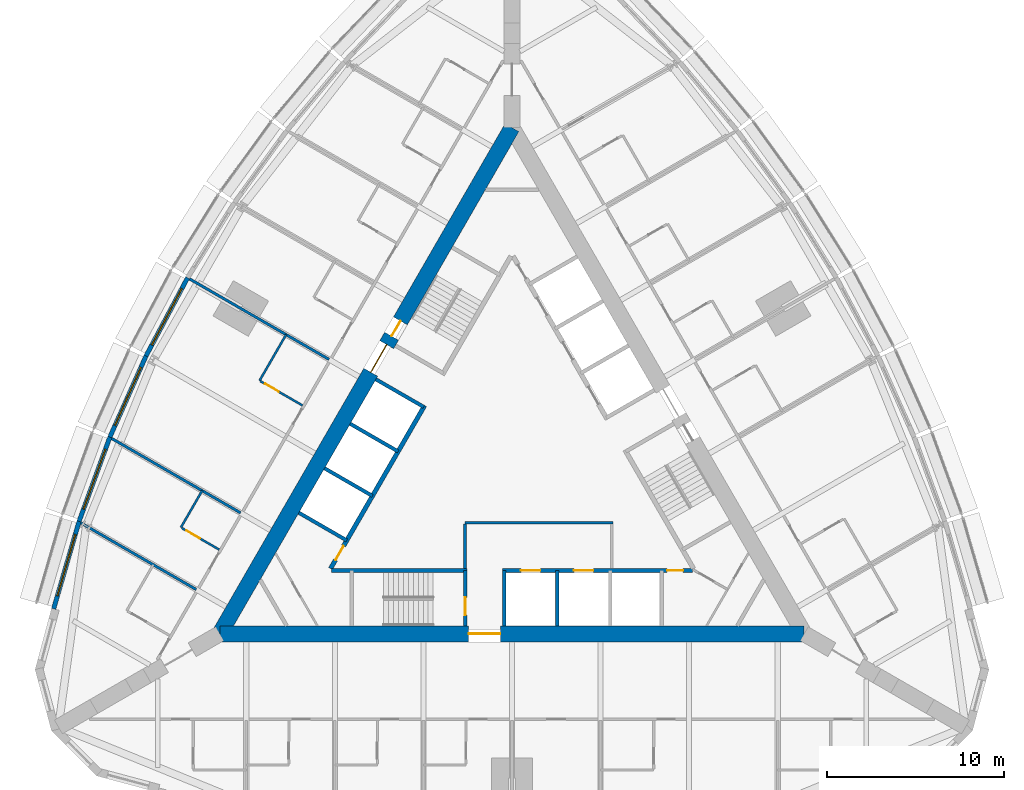
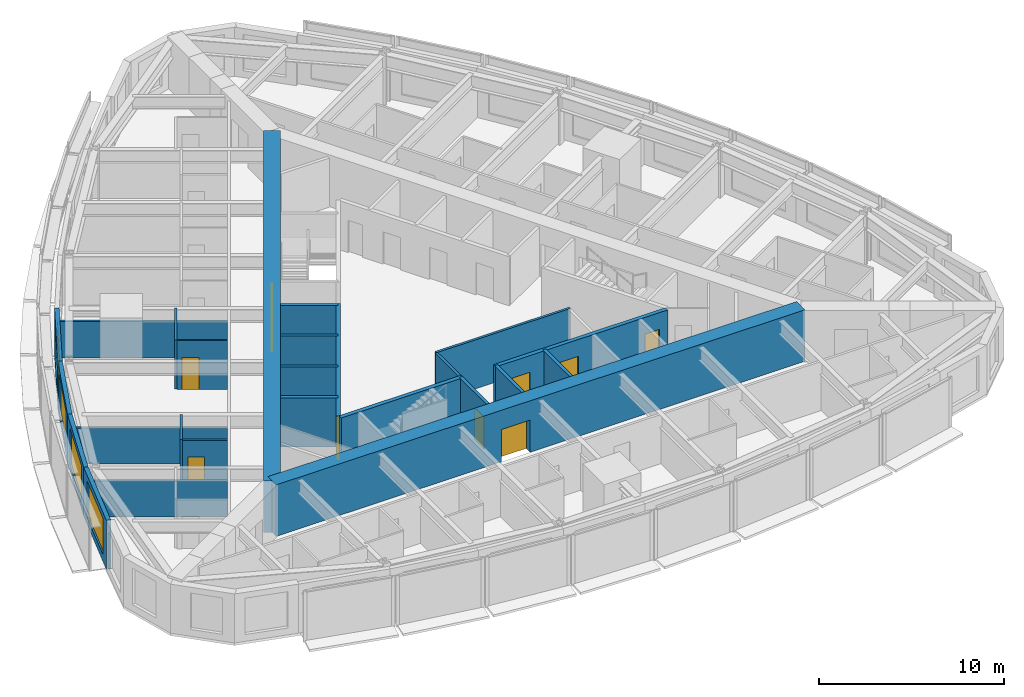
# One storey, part 9 of 14: 25 walls, 10 doors, 4 windows, 14 openings.
"""IFC4 building model written with IfcOpenShell, lengths in metres."""

from ifc_helpers import new_model, si_unit, direction, frame, frame_2d, origin, place, context, subcontext, project, spatial, rectangle, extrude, material, layer, layer_set, type_object, element, fill, save


model = new_model("IFC4")

# Units and contexts
model_context = context("Model", 3, precision=1e-05, world=origin(), true_north=direction((0.0, 1.0)))
body_context = subcontext(model_context, "Body", "Model", "MODEL_VIEW")
ifc_project = project(units=[si_unit("LENGTHUNIT", "METRE"), si_unit("AREAUNIT", "SQUARE_METRE"), si_unit("VOLUMEUNIT", "CUBIC_METRE"), si_unit("PLANEANGLEUNIT", "RADIAN"), si_unit("MASSUNIT", "GRAM", prefix="KILO")], contexts=[model_context])

# Site, building, storey
site_placement = place(None, origin())
site = spatial("IfcSite", under=ifc_project, at=site_placement, CompositionType="ELEMENT")
building_placement = place(site_placement, origin())
building = spatial("IfcBuilding", under=site, at=building_placement, Name="Trikona Tower", CompositionType="ELEMENT")
storey_placement = place(building_placement, frame((0.0, 0.0, 114.699951171875)))
storey = spatial("IfcBuildingStorey", under=building, at=storey_placement, Name="L29", CompositionType="ELEMENT", Elevation=114.699951171875)

# Wall
ifc_material_1 = material(Name="Metal stud and cement board", Category="gypsum")
ifc_layer_1 = layer(ifc_material_1, 0.1201171875)
ifc_layer_set_1 = layer_set([ifc_layer_1], Name="Bathroom wall 120")
wall_type_1 = type_object("IfcWallType", Name="Bathroom wall 120", PredefinedType="PLUMBINGWALL", material=ifc_layer_set_1)
wall_1_placement = place(storey_placement, frame((-12.75341796875, 7.363037109375, 0.0), z_axis=(0.0, 0.0, 1.0), x_axis=(-0.50002537861, -0.866010750942, 0.0)))
element("IfcWall", 1, at=wall_1_placement, inside=storey, type_object=wall_type_1, Name="Bathroom wall 2917", PredefinedType="PLUMBINGWALL", context=body_context, shape_type="SweptSolid", body=[
    extrude(rectangle(XDim=2.999755859375, YDim=0.1201171875, at=frame_2d((1.5, 0.0))), origin(), (0.0, 0.0, 1.0), 3.235107421875),
])

# Wall, opening, door
wall_2_placement = place(storey_placement, frame((-11.82861328125, 3.364990234375, 0.0), z_axis=(0.0, 0.0, 1.0), x_axis=(-0.865997131366, 0.500048966069, 0.0)))
wall_2 = element("IfcWall", 2, at=wall_2_placement, inside=storey, type_object=wall_type_1, Name="Bathroom wall 2917", PredefinedType="PLUMBINGWALL", context=body_context, shape_type="SweptSolid", body=[
    extrude(rectangle(XDim=2.739990234375, YDim=0.1201171875, at=frame_2d((1.3701171875, 0.0))), origin(), (0.0, 0.0, 1.0), 3.235107421875),
])
opening_1_placement = place(wall_2_placement, frame((1.550048828125, 0.0, 0.0)))
opening_1 = element("IfcOpeningElement", 3, at=opening_1_placement, cuts=wall_2, Name="Opening D2", PredefinedType="OPENING", context=body_context, shape_type="SweptSolid", body=[
    extrude(rectangle(XDim=0.89990234375, YDim=2.1298828125, at=frame_2d((0.449951171875, 1.06494140625))), frame((0.0, 0.070068359375, 0.0), z_axis=(0.0, -1.0, 0.0), x_axis=(1.0, 0.0, 0.0)), (0.0, 0.0, 1.0), 0.14013671875),
])
ifc_material_2 = material(Name="Steel door frame with solid-core timber leaf", Category="steel")
door_type_1 = type_object("IfcDoorType", Name="Bathroom door 900x2130", OperationType="SLIDING_TO_LEFT", PredefinedType="DOOR", material=ifc_material_2)
door_1_placement = place(opening_1_placement, origin())
door_1 = element("IfcDoor", 4, at=door_1_placement, inside=storey, type_object=door_type_1, Name="Bathroom door 2917", OperationType="SLIDING_TO_LEFT", OverallHeight=2.1298828125, OverallWidth=0.89990234375, PredefinedType="DOOR", context=body_context, shape_type="SweptSolid", body=[
    extrude(rectangle(XDim=0.89990234375, YDim=2.1298828125, at=frame_2d((0.449951171875, 1.06494140625))), frame((0.0, 0.02490234375, 0.0), z_axis=(0.0, -1.0, 0.0), x_axis=(1.0, 0.0, 0.0)), (0.0, 0.0, 1.0), 0.050048828125),
])
fill(opening_1, door_1)

# Wall
wall_3_placement = place(storey_placement, frame((-17.493408203125, -1.447021484375, 0.0), z_axis=(0.0, 0.0, 1.0), x_axis=(-0.500033551112, -0.866006032174, 0.0)))
element("IfcWall", 5, at=wall_3_placement, inside=storey, type_object=wall_type_1, Name="Bathroom wall 2918", PredefinedType="PLUMBINGWALL", context=body_context, shape_type="SweptSolid", body=[
    extrude(rectangle(XDim=2.400146484375, YDim=0.1201171875, at=frame_2d((1.2001953125, 0.0))), origin(), (0.0, 0.0, 1.0), 3.235107421875),
])

# Wall, opening, door
wall_4_placement = place(storey_placement, frame((-16.528564453125, -4.775634765625, 0.0), z_axis=(0.0, 0.0, 1.0), x_axis=(-0.866023955769, 0.500002508028, 0.0)))
wall_4 = element("IfcWall", 6, at=wall_4_placement, inside=storey, type_object=wall_type_1, Name="Bathroom wall 2918", PredefinedType="PLUMBINGWALL", context=body_context, shape_type="SweptSolid", body=[
    extrude(rectangle(XDim=2.43994140625, YDim=0.1201171875, at=frame_2d((1.219970703125, 0.0))), origin(), (0.0, 0.0, 1.0), 3.235107421875),
])
opening_2_placement = place(wall_4_placement, frame((1.25, 0.0, 0.0)))
opening_2 = element("IfcOpeningElement", 7, at=opening_2_placement, cuts=wall_4, Name="Opening D2", PredefinedType="OPENING", context=body_context, shape_type="SweptSolid", body=[
    extrude(rectangle(XDim=0.89990234375, YDim=2.1298828125, at=frame_2d((0.449951171875, 1.06494140625))), frame((0.0, 0.070068359375, 0.0), z_axis=(0.0, -1.0, 0.0), x_axis=(1.0, 0.0, 0.0)), (0.0, 0.0, 1.0), 0.14013671875),
])
door_2_placement = place(opening_2_placement, origin())
door_2 = element("IfcDoor", 8, at=door_2_placement, inside=storey, type_object=door_type_1, Name="Bathroom door 2918", OperationType="SLIDING_TO_LEFT", OverallHeight=2.1298828125, OverallWidth=0.89990234375, PredefinedType="DOOR", context=body_context, shape_type="SweptSolid", body=[
    extrude(rectangle(XDim=0.89990234375, YDim=2.1298828125, at=frame_2d((0.449951171875, 1.06494140625))), frame((0.0, 0.02490234375, 0.0), z_axis=(0.0, -1.0, 0.0), x_axis=(1.0, 0.0, 0.0)), (0.0, 0.0, 1.0), 0.050048828125),
])
fill(opening_2, door_2)

ifc_material_3 = material(Name="Concrete f'c 10000 psi", Category="concrete")
ifc_layer_2 = layer(ifc_material_3, 0.89990234375)
ifc_layer_set_2 = layer_set([ifc_layer_2], Name="Core wall 900")
wall_type_2 = type_object("IfcWallType", Name="Core wall 900", PredefinedType="SHEAR", material=ifc_layer_set_2)
wall_5_placement = place(storey_placement, frame((-16.5, -9.5263671875, 0.0), z_axis=(0.0, 0.0, 1.0), x_axis=(1.0, 0.0, 0.0)))
wall_5 = element("IfcWall", 9, at=wall_5_placement, inside=storey, type_object=wall_type_2, Name="Core wall A", PredefinedType="SHEAR", context=body_context, shape_type="SweptSolid", body=[
    extrude(rectangle(XDim=33.0, YDim=0.89990234375, at=frame_2d((16.5, 0.0))), origin(), (0.0, 0.0, 1.0), 3.400146484375),
])
opening_3_placement = place(wall_5_placement, frame((14.050048828125, 0.0, 0.0)))
opening_3 = element("IfcOpeningElement", 10, at=opening_3_placement, cuts=wall_5, Name="Opening D6", PredefinedType="OPENING", context=body_context, shape_type="SweptSolid", body=[
    extrude(rectangle(XDim=1.800048828125, YDim=2.1298828125, at=frame_2d((0.89990234375, 1.06494140625))), frame((0.0, 0.4599609375, 0.0), z_axis=(0.0, -1.0, 0.0), x_axis=(1.0, 0.0, 0.0)), (0.0, 0.0, 1.0), 0.919921875),
])
ifc_material_4 = material(Name="Hollow metal door and frame", Category="steel")
door_type_2 = type_object("IfcDoorType", Name="Lobby door pair 1800x2130", OperationType="DOUBLE_DOOR_SINGLE_SWING", PredefinedType="DOOR", material=ifc_material_4)
door_3_placement = place(opening_3_placement, origin())
door_3 = element("IfcDoor", 11, at=door_3_placement, inside=storey, type_object=door_type_2, Name="Fire service lift lobby door", OperationType="DOUBLE_DOOR_SINGLE_SWING", OverallHeight=2.1298828125, OverallWidth=1.800048828125, PredefinedType="DOOR", context=body_context, shape_type="SweptSolid", body=[
    extrude(rectangle(XDim=1.800048828125, YDim=2.1298828125, at=frame_2d((0.89990234375, 1.06494140625))), frame((0.0, 0.02490234375, 0.0), z_axis=(0.0, -1.0, 0.0), x_axis=(1.0, 0.0, 0.0)), (0.0, 0.0, 1.0), 0.050048828125),
])
fill(opening_3, door_3)

# Wall, openings, doors
wall_6_placement = place(storey_placement, frame((0.0, 19.052490234375, 0.0), z_axis=(0.0, 0.0, 1.0), x_axis=(-0.499999749417, -0.866025548458, 0.0)))
wall_6 = element("IfcWall", 12, at=wall_6_placement, inside=storey, type_object=wall_type_2, Name="Core wall C", PredefinedType="SHEAR", context=body_context, shape_type="SweptSolid", body=[
    extrude(rectangle(XDim=33.0, YDim=0.89990234375, at=frame_2d((16.5, 0.0))), origin(), (0.0, 0.0, 1.0), 3.400146484375),
])
opening_4_placement = place(wall_6_placement, frame((14.14990234375, 0.0, 0.0)))
opening_4 = element("IfcOpeningElement", 13, at=opening_4_placement, cuts=wall_6, Name="Opening D6", PredefinedType="OPENING", context=body_context, shape_type="SweptSolid", body=[
    extrude(rectangle(XDim=1.800048828125, YDim=2.1298828125, at=frame_2d((0.89990234375, 1.06494140625))), frame((0.0, 0.4599609375, 0.0), z_axis=(0.0, -1.0, 0.0), x_axis=(1.0, 0.0, 0.0)), (0.0, 0.0, 1.0), 0.919921875),
])
opening_5_placement = place(wall_6_placement, frame((12.60009765625, 0.0, 0.0)))
opening_5 = element("IfcOpeningElement", 14, at=opening_5_placement, cuts=wall_6, Name="Opening D5", PredefinedType="OPENING", context=body_context, shape_type="SweptSolid", body=[
    extrude(rectangle(XDim=1.0, YDim=2.1298828125, at=frame_2d((0.5, 1.06494140625))), frame((0.0, 0.4599609375, 0.0), z_axis=(0.0, -1.0, 0.0), x_axis=(1.0, 0.0, 0.0)), (0.0, 0.0, 1.0), 0.919921875),
])
door_4_placement = place(opening_4_placement, origin())
door_4 = element("IfcDoor", 15, at=door_4_placement, inside=storey, type_object=door_type_2, Name="Lift lobby door C", OperationType="DOUBLE_DOOR_SINGLE_SWING", OverallHeight=2.1298828125, OverallWidth=1.800048828125, PredefinedType="DOOR", context=body_context, shape_type="SweptSolid", body=[
    extrude(rectangle(XDim=1.800048828125, YDim=2.1298828125, at=frame_2d((0.89990234375, 1.06494140625))), frame((0.0, 0.02490234375, 0.0), z_axis=(0.0, -1.0, 0.0), x_axis=(1.0, 0.0, 0.0)), (0.0, 0.0, 1.0), 0.050048828125),
])
fill(opening_4, door_4)
ifc_material_5 = material(Name="Hollow metal door and frame", Category="steel")
door_type_3 = type_object("IfcDoorType", Name="Stair door 1000x2130", OperationType="SINGLE_SWING_LEFT", PredefinedType="DOOR", material=ifc_material_5)
door_5_placement = place(opening_5_placement, origin())
door_5 = element("IfcDoor", 16, at=door_5_placement, inside=storey, type_object=door_type_3, Name="Stair C door", OperationType="SINGLE_SWING_RIGHT", OverallHeight=2.1298828125, OverallWidth=1.0, PredefinedType="DOOR", context=body_context, shape_type="SweptSolid", body=[
    extrude(rectangle(XDim=1.0, YDim=2.1298828125, at=frame_2d((0.5, 1.06494140625))), frame((0.0, 0.02490234375, 0.0), z_axis=(0.0, -1.0, 0.0), x_axis=(1.0, 0.0, 0.0)), (0.0, 0.0, 1.0), 0.050048828125),
])
fill(opening_5, door_5)

# Wall
ifc_material_6 = material(Name="Concrete f'c 8000 psi", Category="concrete")
ifc_layer_3 = layer(ifc_material_6, 0.25)
ifc_layer_set_3 = layer_set([ifc_layer_3], Name="Hub wall 250")
wall_type_3 = type_object("IfcWallType", Name="Hub wall 250", PredefinedType="SOLIDWALL", material=ifc_layer_set_3)
wall_7_placement = place(storey_placement, frame((-10.182861328125, -5.951416015625, 0.0), z_axis=(0.0, 0.0, 1.0), x_axis=(1.0, 0.0, 0.0)))
element("IfcWall", 17, at=wall_7_placement, inside=storey, type_object=wall_type_3, Name="Lift lobby wall A1", PredefinedType="SOLIDWALL", context=body_context, shape_type="SweptSolid", body=[
    extrude(rectangle(XDim=7.6328125, YDim=0.25, at=frame_2d((3.81640625, 0.0))), origin(), (0.0, 0.0, 1.0), 3.235107421875),
])

# Wall, openings, doors
wall_8_placement = place(storey_placement, frame((-0.550048828125, -5.951416015625, 0.0), z_axis=(0.0, 0.0, 1.0), x_axis=(1.0, 0.0, 0.0)))
wall_8 = element("IfcWall", 18, at=wall_8_placement, inside=storey, type_object=wall_type_3, Name="Lift lobby wall A2", PredefinedType="SOLIDWALL", context=body_context, shape_type="SweptSolid", body=[
    extrude(rectangle(XDim=10.73291015625, YDim=0.25, at=frame_2d((5.366455078125, 0.0))), origin(), (0.0, 0.0, 1.0), 3.235107421875),
])
opening_6_placement = place(wall_8_placement, frame((9.31396484375, 0.0, 0.0)))
opening_6 = element("IfcOpeningElement", 19, at=opening_6_placement, cuts=wall_8, Name="Opening D14", PredefinedType="OPENING", context=body_context, shape_type="SweptSolid", body=[
    extrude(rectangle(XDim=0.89990234375, YDim=2.1298828125, at=frame_2d((0.449951171875, 1.06494140625))), frame((0.0, 0.135009765625, 0.0), z_axis=(0.0, -1.0, 0.0), x_axis=(1.0, 0.0, 0.0)), (0.0, 0.0, 1.0), 0.27001953125),
])
opening_7_placement = place(wall_8_placement, frame((1.050048828125, 0.0, 0.0)))
opening_7 = element("IfcOpeningElement", 20, at=opening_7_placement, cuts=wall_8, Name="Opening LD", PredefinedType="OPENING", context=body_context, shape_type="SweptSolid", body=[
    extrude(rectangle(XDim=1.10009765625, YDim=2.1298828125, at=frame_2d((0.550048828125, 1.06494140625))), frame((0.0, 0.135009765625, 0.0), z_axis=(0.0, -1.0, 0.0), x_axis=(1.0, 0.0, 0.0)), (0.0, 0.0, 1.0), 0.27001953125),
])
opening_8_placement = place(wall_8_placement, frame((4.050048828125, 0.0, 0.0)))
opening_8 = element("IfcOpeningElement", 21, at=opening_8_placement, cuts=wall_8, Name="Opening LD", PredefinedType="OPENING", context=body_context, shape_type="SweptSolid", body=[
    extrude(rectangle(XDim=1.10009765625, YDim=2.1298828125, at=frame_2d((0.550048828125, 1.06494140625))), frame((0.0, 0.135009765625, 0.0), z_axis=(0.0, -1.0, 0.0), x_axis=(1.0, 0.0, 0.0)), (0.0, 0.0, 1.0), 0.27001953125),
])
ifc_material_7 = material(Name="Stainless steel lift landing door", Category="steel")
door_type_4 = type_object("IfcDoorType", Name="Lift landing door 1100x2130", OperationType="DOUBLE_DOOR_SLIDING", PredefinedType="USERDEFINED", material=ifc_material_7)
door_6_placement = place(opening_7_placement, origin())
door_6 = element("IfcDoor", 22, at=door_6_placement, inside=storey, type_object=door_type_4, Name="Lift landing door FF1", ObjectType="LIFT LANDING DOOR", OperationType="DOUBLE_DOOR_SLIDING", OverallHeight=2.1298828125, OverallWidth=1.10009765625, PredefinedType="USERDEFINED", context=body_context, shape_type="SweptSolid", body=[
    extrude(rectangle(XDim=1.10009765625, YDim=2.1298828125, at=frame_2d((0.550048828125, 1.06494140625))), frame((0.0, 0.02490234375, 0.0), z_axis=(0.0, -1.0, 0.0), x_axis=(1.0, 0.0, 0.0)), (0.0, 0.0, 1.0), 0.050048828125),
])
fill(opening_7, door_6)
door_7_placement = place(opening_8_placement, origin())
door_7 = element("IfcDoor", 23, at=door_7_placement, inside=storey, type_object=door_type_4, Name="Lift landing door FF2", ObjectType="LIFT LANDING DOOR", OperationType="DOUBLE_DOOR_SLIDING", OverallHeight=2.1298828125, OverallWidth=1.10009765625, PredefinedType="USERDEFINED", context=body_context, shape_type="SweptSolid", body=[
    extrude(rectangle(XDim=1.10009765625, YDim=2.1298828125, at=frame_2d((0.550048828125, 1.06494140625))), frame((0.0, 0.02490234375, 0.0), z_axis=(0.0, -1.0, 0.0), x_axis=(1.0, 0.0, 0.0)), (0.0, 0.0, 1.0), 0.050048828125),
])
fill(opening_8, door_7)
ifc_material_8 = material(Name="Hollow metal door and frame", Category="steel")
door_type_5 = type_object("IfcDoorType", Name="Service room door 900x2130", OperationType="SINGLE_SWING_LEFT", PredefinedType="DOOR", material=ifc_material_8)
door_8_placement = place(opening_6_placement, origin())
door_8 = element("IfcDoor", 24, at=door_8_placement, inside=storey, type_object=door_type_5, Name="Door Ice and vending ICE", OperationType="SINGLE_SWING_RIGHT", OverallHeight=2.1298828125, OverallWidth=0.89990234375, PredefinedType="DOOR", context=body_context, shape_type="SweptSolid", body=[
    extrude(rectangle(XDim=0.89990234375, YDim=2.1298828125, at=frame_2d((0.449951171875, 1.06494140625))), frame((0.0, 0.02490234375, 0.0), z_axis=(0.0, -1.0, 0.0), x_axis=(1.0, 0.0, 0.0)), (0.0, 0.0, 1.0), 0.050048828125),
])
fill(opening_6, door_8)

# Wall, opening, door
wall_9_placement = place(storey_placement, frame((-4.928955078125, 3.365478515625, 0.0), z_axis=(0.0, 0.0, 1.0), x_axis=(-0.499991433582, -0.866030349552, 0.0)))
wall_9 = element("IfcWall", 25, at=wall_9_placement, inside=storey, type_object=wall_type_3, Name="Lift lobby wall C2", PredefinedType="SOLIDWALL", context=body_context, shape_type="SweptSolid", body=[
    extrude(rectangle(XDim=10.633056640625, YDim=0.25, at=frame_2d((5.31640625, 0.0))), origin(), (0.0, 0.0, 1.0), 3.235107421875),
])
opening_9_placement = place(wall_9_placement, frame((9.1640625, 0.0, 0.0)))
opening_9 = element("IfcOpeningElement", 26, at=opening_9_placement, cuts=wall_9, Name="Opening D14", PredefinedType="OPENING", context=body_context, shape_type="SweptSolid", body=[
    extrude(rectangle(XDim=0.89990234375, YDim=2.1298828125, at=frame_2d((0.449951171875, 1.06494140625))), frame((0.0, 0.135009765625, 0.0), z_axis=(0.0, -1.0, 0.0), x_axis=(1.0, 0.0, 0.0)), (0.0, 0.0, 1.0), 0.27001953125),
])
door_9_placement = place(opening_9_placement, origin())
door_9 = element("IfcDoor", 27, at=door_9_placement, inside=storey, type_object=door_type_5, Name="Door Housekeeping store HKS", OperationType="SINGLE_SWING_RIGHT", OverallHeight=2.1298828125, OverallWidth=0.89990234375, PredefinedType="DOOR", context=body_context, shape_type="SweptSolid", body=[
    extrude(rectangle(XDim=0.89990234375, YDim=2.1298828125, at=frame_2d((0.449951171875, 1.06494140625))), frame((0.0, 0.02490234375, 0.0), z_axis=(0.0, -1.0, 0.0), x_axis=(1.0, 0.0, 0.0)), (0.0, 0.0, 1.0), 0.050048828125),
])
fill(opening_9, door_9)

# Wall, opening, window
ifc_material_9 = material(Name="Insulated precast concrete spandrel panel", Category="concrete")
ifc_layer_4 = layer(ifc_material_9, 0.25)
ifc_layer_set_4 = layer_set([ifc_layer_4], Name="Inner skin wall 250")
wall_type_4 = type_object("IfcWallType", Name="Inner skin wall 250", PredefinedType="STANDARD", material=ifc_layer_set_4)
wall_10_placement = place(storey_placement, frame((-18.314453125, 10.578857421875, 0.0), z_axis=(0.0, 0.0, 1.0), x_axis=(-0.469404966864, -0.882982999317, 0.0)))
wall_10 = element("IfcWall", 28, at=wall_10_placement, inside=storey, type_object=wall_type_4, Name="External wall L29-28", PredefinedType="STANDARD", context=body_context, shape_type="SweptSolid", body=[
    extrude(rectangle(XDim=5.0029296875, YDim=0.25, at=frame_2d((2.50146484375, 0.0))), origin(), (0.0, 0.0, 1.0), 3.235107421875),
])
opening_10_placement = place(wall_10_placement, frame((0.701416015625, 0.0, 0.449951171875)))
opening_10 = element("IfcOpeningElement", 29, at=opening_10_placement, cuts=wall_10, Name="Opening W3624", PredefinedType="OPENING", context=body_context, shape_type="SweptSolid", body=[
    extrude(rectangle(XDim=3.60009765625, YDim=2.39990234375, at=frame_2d((1.800048828125, 1.199951171875))), frame((0.0, 0.135009765625, 0.0), z_axis=(0.0, -1.0, 0.0), x_axis=(1.0, 0.0, 0.0)), (0.0, 0.0, 1.0), 0.27001953125),
])
ifc_material_10 = material(Name="Aluminium-framed double glazing", Category="aluminium")
window_type = type_object("IfcWindowType", Name="Window 3600x2400", PartitioningType="SINGLE_PANEL", PredefinedType="WINDOW", material=ifc_material_10)
window_1_placement = place(opening_10_placement, origin())
window_1 = element("IfcWindow", 30, at=window_1_placement, inside=storey, type_object=window_type, Name="Window 2917", OverallHeight=2.39990234375, OverallWidth=3.60009765625, PartitioningType="SINGLE_PANEL", PredefinedType="WINDOW", context=body_context, shape_type="SweptSolid", body=[
    extrude(rectangle(XDim=3.60009765625, YDim=2.39990234375, at=frame_2d((1.800048828125, 1.199951171875))), frame((0.0, 0.030029296875, 0.0), z_axis=(0.0, -1.0, 0.0), x_axis=(1.0, 0.0, 0.0)), (0.0, 0.0, 1.0), 0.06005859375),
])
fill(opening_10, window_1)

wall_11_placement = place(storey_placement, frame((-20.6591796875, 6.169189453125, 0.0), z_axis=(0.0, 0.0, 1.0), x_axis=(-0.406832200364, -0.913502906808, 0.0)))
wall_11 = element("IfcWall", 31, at=wall_11_placement, inside=storey, type_object=wall_type_4, Name="External wall L29-29", PredefinedType="STANDARD", context=body_context, shape_type="SweptSolid", body=[
    extrude(rectangle(XDim=5.027587890625, YDim=0.25, at=frame_2d((2.513671875, 0.0))), origin(), (0.0, 0.0, 1.0), 3.235107421875),
])
opening_11_placement = place(wall_11_placement, frame((0.713623046875, 0.0, 0.449951171875)))
opening_11 = element("IfcOpeningElement", 32, at=opening_11_placement, cuts=wall_11, Name="Opening W3624", PredefinedType="OPENING", context=body_context, shape_type="SweptSolid", body=[
    extrude(rectangle(XDim=3.60009765625, YDim=2.39990234375, at=frame_2d((1.800048828125, 1.199951171875))), frame((0.0, 0.135009765625, 0.0), z_axis=(0.0, -1.0, 0.0), x_axis=(1.0, 0.0, 0.0)), (0.0, 0.0, 1.0), 0.27001953125),
])
window_2_placement = place(opening_11_placement, origin())
window_2 = element("IfcWindow", 33, at=window_2_placement, inside=storey, type_object=window_type, Name="Window 2917", OverallHeight=2.39990234375, OverallWidth=3.60009765625, PartitioningType="SINGLE_PANEL", PredefinedType="WINDOW", context=body_context, shape_type="SweptSolid", body=[
    extrude(rectangle(XDim=3.60009765625, YDim=2.39990234375, at=frame_2d((1.800048828125, 1.199951171875))), frame((0.0, 0.030029296875, 0.0), z_axis=(0.0, -1.0, 0.0), x_axis=(1.0, 0.0, 0.0)), (0.0, 0.0, 1.0), 0.06005859375),
])
fill(opening_11, window_2)

wall_12_placement = place(storey_placement, frame((-22.701416015625, 1.58447265625, 0.0), z_axis=(0.0, 0.0, 1.0), x_axis=(-0.343225593282, -0.939252996863, 0.0)))
wall_12 = element("IfcWall", 34, at=wall_12_placement, inside=storey, type_object=wall_type_4, Name="External wall L29-30", PredefinedType="STANDARD", context=body_context, shape_type="SweptSolid", body=[
    extrude(rectangle(XDim=5.075927734375, YDim=0.25, at=frame_2d((2.5380859375, 0.0))), origin(), (0.0, 0.0, 1.0), 3.235107421875),
])
opening_12_placement = place(wall_12_placement, frame((0.738037109375, 0.0, 0.449951171875)))
opening_12 = element("IfcOpeningElement", 35, at=opening_12_placement, cuts=wall_12, Name="Opening W3624", PredefinedType="OPENING", context=body_context, shape_type="SweptSolid", body=[
    extrude(rectangle(XDim=3.60009765625, YDim=2.39990234375, at=frame_2d((1.800048828125, 1.199951171875))), frame((0.0, 0.135009765625, 0.0), z_axis=(0.0, -1.0, 0.0), x_axis=(1.0, 0.0, 0.0)), (0.0, 0.0, 1.0), 0.27001953125),
])
window_3_placement = place(opening_12_placement, origin())
window_3 = element("IfcWindow", 36, at=window_3_placement, inside=storey, type_object=window_type, Name="Window 2918", OverallHeight=2.39990234375, OverallWidth=3.60009765625, PartitioningType="SINGLE_PANEL", PredefinedType="WINDOW", context=body_context, shape_type="SweptSolid", body=[
    extrude(rectangle(XDim=3.60009765625, YDim=2.39990234375, at=frame_2d((1.800048828125, 1.199951171875))), frame((0.0, 0.030029296875, 0.0), z_axis=(0.0, -1.0, 0.0), x_axis=(1.0, 0.0, 0.0)), (0.0, 0.0, 1.0), 0.06005859375),
])
fill(opening_12, window_3)

wall_13_placement = place(storey_placement, frame((-24.44091796875, -3.17529296875, 0.0), z_axis=(0.0, 0.0, 1.0), x_axis=(-0.279528287117, -0.960137457191, 0.0)))
wall_13 = element("IfcWall", 37, at=wall_13_placement, inside=storey, type_object=wall_type_4, Name="External wall L29-31", PredefinedType="STANDARD", context=body_context, shape_type="SweptSolid", body=[
    extrude(rectangle(XDim=5.14794921875, YDim=0.25, at=frame_2d((2.573974609375, 0.0))), origin(), (0.0, 0.0, 1.0), 3.235107421875),
])
opening_13_placement = place(wall_13_placement, frame((0.77392578125, 0.0, 0.449951171875)))
opening_13 = element("IfcOpeningElement", 38, at=opening_13_placement, cuts=wall_13, Name="Opening W3624", PredefinedType="OPENING", context=body_context, shape_type="SweptSolid", body=[
    extrude(rectangle(XDim=3.60009765625, YDim=2.39990234375, at=frame_2d((1.800048828125, 1.199951171875))), frame((0.0, 0.135009765625, 0.0), z_axis=(0.0, -1.0, 0.0), x_axis=(1.0, 0.0, 0.0)), (0.0, 0.0, 1.0), 0.27001953125),
])
window_4_placement = place(opening_13_placement, origin())
window_4 = element("IfcWindow", 39, at=window_4_placement, inside=storey, type_object=window_type, Name="Window 2919", OverallHeight=2.39990234375, OverallWidth=3.60009765625, PartitioningType="SINGLE_PANEL", PredefinedType="WINDOW", context=body_context, shape_type="SweptSolid", body=[
    extrude(rectangle(XDim=3.60009765625, YDim=2.39990234375, at=frame_2d((1.800048828125, 1.199951171875))), frame((0.0, 0.030029296875, 0.0), z_axis=(0.0, -1.0, 0.0), x_axis=(1.0, 0.0, 0.0)), (0.0, 0.0, 1.0), 0.06005859375),
])
fill(opening_13, window_4)

# Walls
ifc_material_11 = material(Name="Metal stud and gypsum board, 2-hour shaft wall", Category="gypsum")
ifc_layer_5 = layer(ifc_material_11, 0.14990234375)
ifc_layer_set_5 = layer_set([ifc_layer_5], Name="Lobby wall 150")
wall_type_5 = type_object("IfcWallType", Name="Lobby wall 150", PredefinedType="PARTITIONING", material=ifc_layer_set_5)
wall_14_placement = place(storey_placement, frame((-2.64990234375, -3.251220703125, 0.0), z_axis=(0.0, 0.0, 1.0), x_axis=(1.0, 0.0, 0.0)))
element("IfcWall", 40, at=wall_14_placement, inside=storey, type_object=wall_type_5, Name="Fire service lift lobby wall 1", PredefinedType="PARTITIONING", context=body_context, shape_type="SweptSolid", body=[
    extrude(rectangle(XDim=8.349853515625, YDim=0.14990234375, at=frame_2d((4.1748046875, 0.0))), origin(), (0.0, 0.0, 1.0), 3.235107421875),
])
wall_15_placement = place(storey_placement, frame((-2.64990234375, -5.826416015625, 0.0), z_axis=(0.0, 0.0, 1.0), x_axis=(0.0, 1.0, 0.0)))
element("IfcWall", 41, at=wall_15_placement, inside=storey, type_object=wall_type_5, Name="Fire service lift lobby wall 2", PredefinedType="PARTITIONING", context=body_context, shape_type="SweptSolid", body=[
    extrude(rectangle(XDim=2.5, YDim=0.14990234375, at=frame_2d((1.25, 0.0))), origin(), (0.0, 0.0, 1.0), 3.235107421875),
])
ifc_material_12 = material(Name="Metal stud and gypsum board, 1-hour acoustic", Category="gypsum")
ifc_layer_6 = layer(ifc_material_12, 0.14990234375)
ifc_layer_set_6 = layer_set([ifc_layer_6], Name="Party wall 150")
wall_type_6 = type_object("IfcWallType", Name="Party wall 150", PredefinedType="PARTITIONING", material=ifc_layer_set_6)
wall_16_placement = place(storey_placement, frame((-10.32861328125, 5.963134765625, 0.0), z_axis=(0.0, 0.0, 1.0), x_axis=(-0.866025170687, 0.500000403736, 0.0)))
element("IfcWall", 42, at=wall_16_placement, inside=storey, type_object=wall_type_6, Name="Partition L29 F3 u0", PredefinedType="PARTITIONING", context=body_context, shape_type="SweptSolid", body=[
    extrude(rectangle(XDim=9.0986328125, YDim=0.14990234375, at=frame_2d((4.54931640625, 0.0))), origin(), (0.0, 0.0, 1.0), 2.38916015625),
])
wall_17_placement = place(storey_placement, frame((-15.32861328125, -2.697021484375, 0.0), z_axis=(0.0, 0.0, 1.0), x_axis=(-0.866024316602, 0.50000188305, 0.0)))
element("IfcWall", 43, at=wall_17_placement, inside=storey, type_object=wall_type_6, Name="Partition L29 F3 u10", PredefinedType="PARTITIONING", context=body_context, shape_type="SweptSolid", body=[
    extrude(rectangle(XDim=8.39501953125, YDim=0.14990234375, at=frame_2d((4.197509765625, 0.0))), origin(), (0.0, 0.0, 1.0), 2.38916015625),
])
wall_18_placement = place(storey_placement, frame((-17.82861328125, -7.027099609375, 0.0), z_axis=(0.0, 0.0, 1.0), x_axis=(-0.866029804378, 0.499992377871, 0.0)))
element("IfcWall", 44, at=wall_18_placement, inside=storey, type_object=wall_type_6, Name="Partition L29 F3 u15", PredefinedType="PARTITIONING", context=body_context, shape_type="SweptSolid", body=[
    extrude(rectangle(XDim=7.51611328125, YDim=0.14990234375, at=frame_2d((3.758056640625, 0.0))), origin(), (0.0, 0.0, 1.0), 2.38916015625),
])
ifc_material_13 = material(Name="Concrete f'c 8000 psi", Category="concrete")
ifc_layer_7 = layer(ifc_material_13, 0.199951171875)
ifc_layer_set_7 = layer_set([ifc_layer_7], Name="Shaft wall 200")
wall_type_7 = type_object("IfcWallType", Name="Shaft wall 200", PredefinedType="SOLIDWALL", material=ifc_layer_set_7)
for number, where, z_axis, x_axis, name in (
    (45, (-0.449951171875, -5.951416015625, 0.0), (0.0, 0.0, 1.0), (0.0, -1.0, 0.0), "Shaft wall A3"),
    (46, (2.550048828125, -5.951416015625, 0.0), (0.0, 0.0, 1.0), (0.0, -1.0, 0.0), "Shaft wall A4"),
    (47, (-4.97900390625, 3.27880859375, 0.0), (0.0, 0.0, 1.0), (-0.866022959057, 0.500004234368, 0.0), "Shaft wall C3"),
    (48, (-6.428955078125, 0.767333984375, 0.0), (0.0, 0.0, 1.0), (-0.866022959057, 0.500004234368, 0.0), "Shaft wall C4"),
    (49, (-7.87890625, -1.744140625, 0.0), (0.0, 0.0, 1.0), (-0.866022959057, 0.500004234368, 0.0), "Shaft wall C5"),
    (50, (-9.3291015625, -4.255615234375, 0.0), (0.0, 0.0, 1.0), (-0.866022959057, 0.500004234368, 0.0), "Shaft wall C6"),
):
    element("IfcWall", number, at=place(storey_placement, frame(where, z_axis=z_axis, x_axis=x_axis)), inside=storey, type_object=wall_type_7, Name=name, PredefinedType="SOLIDWALL", context=body_context, shape_type="SweptSolid", body=[
        extrude(rectangle(XDim=3.125, YDim=0.199951171875, at=frame_2d((1.5625, 0.0))), origin(), (0.0, 0.0, 1.0), 3.235107421875),
    ])

# Wall, opening, door
ifc_material_14 = material(Name="Concrete f'c 8000 psi", Category="concrete")
ifc_layer_8 = layer(ifc_material_14, 0.199951171875)
ifc_layer_set_8 = layer_set([ifc_layer_8], Name="Shaft wall 200 load-bearing")
wall_type_8 = type_object("IfcWallType", Name="Shaft wall 200 load-bearing", PredefinedType="SOLIDWALL", material=ifc_layer_set_8)
wall_19_placement = place(storey_placement, frame((-2.64990234375, -5.951416015625, 0.0), z_axis=(0.0, 0.0, 1.0), x_axis=(0.0, -1.0, 0.0)))
wall_19 = element("IfcWall", 51, at=wall_19_placement, inside=storey, type_object=wall_type_8, Name="Shaft wall A2", PredefinedType="SOLIDWALL", context=body_context, shape_type="SweptSolid", body=[
    extrude(rectangle(XDim=3.125, YDim=0.199951171875, at=frame_2d((1.5625, 0.0))), origin(), (0.0, 0.0, 1.0), 3.235107421875),
])
opening_14_placement = place(wall_19_placement, frame((1.52490234375, 0.0, 0.0)))
opening_14 = element("IfcOpeningElement", 52, at=opening_14_placement, cuts=wall_19, Name="Opening D5", PredefinedType="OPENING", context=body_context, shape_type="SweptSolid", body=[
    extrude(rectangle(XDim=1.0, YDim=2.1298828125, at=frame_2d((0.5, 1.06494140625))), frame((0.0, 0.10986328125, 0.0), z_axis=(0.0, -1.0, 0.0), x_axis=(1.0, 0.0, 0.0)), (0.0, 0.0, 1.0), 0.219970703125),
])
door_10_placement = place(opening_14_placement, origin())
door_10 = element("IfcDoor", 53, at=door_10_placement, inside=storey, type_object=door_type_3, Name="Stair A door", OperationType="SINGLE_SWING_RIGHT", OverallHeight=2.1298828125, OverallWidth=1.0, PredefinedType="DOOR", context=body_context, shape_type="SweptSolid", body=[
    extrude(rectangle(XDim=1.0, YDim=2.1298828125, at=frame_2d((0.5, 1.06494140625))), frame((0.0, 0.02490234375, 0.0), z_axis=(0.0, -1.0, 0.0), x_axis=(1.0, 0.0, 0.0)), (0.0, 0.0, 1.0), 0.050048828125),
])
fill(opening_14, door_10)

save(model, "model.ifc")
